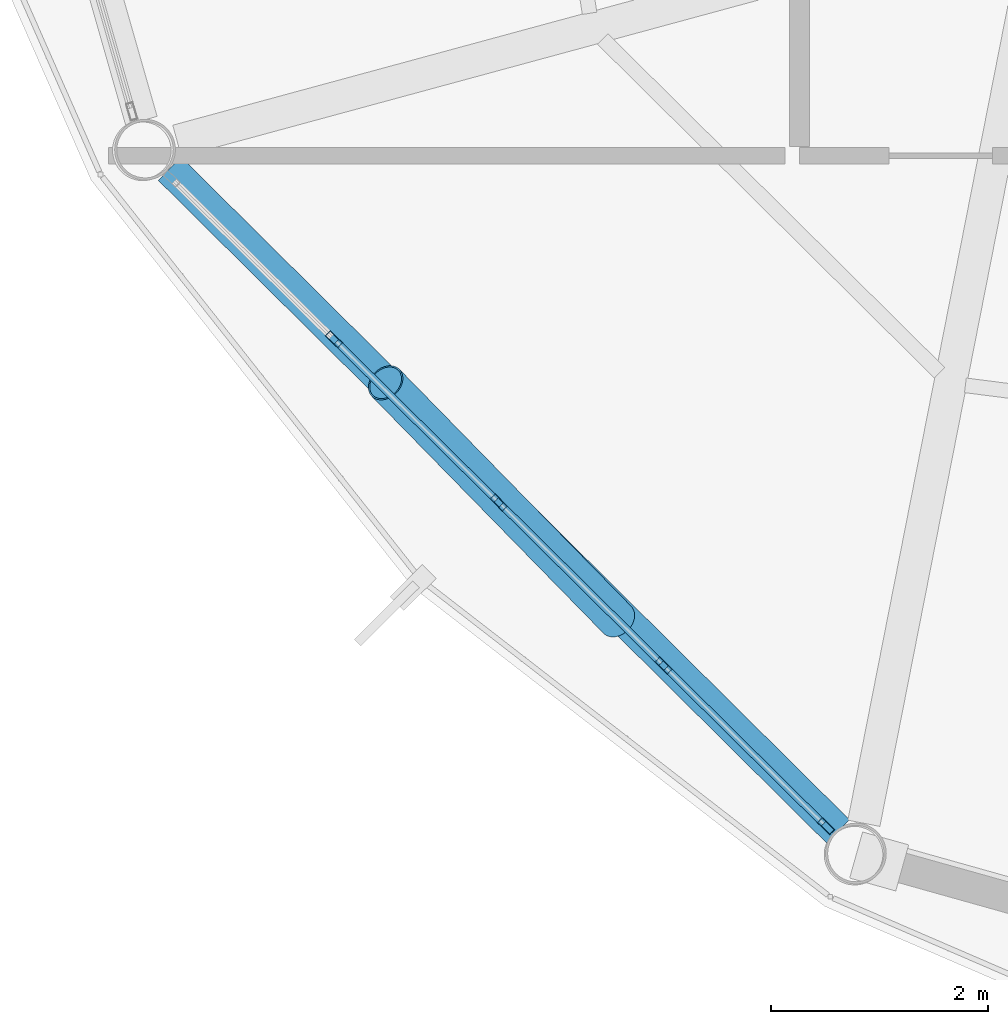
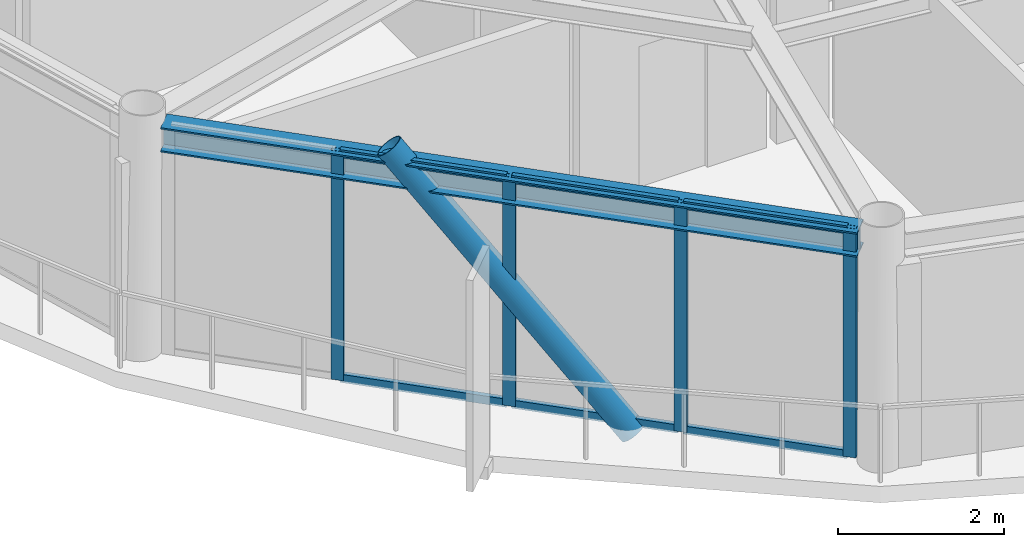
# One storey, part 2 of 24: 11 members, 1 beam, 1 element without a shape of its own.
"""IFC4 building model written with IfcOpenShell, lengths in metres."""

from ifc_helpers import new_model, si_unit, direction, frame, origin, origin_2d, place, context, subcontext, project, spatial, hollow_rectangle, hollow_circle, i_section, extrude, material, layer, layer_set, material_profile, profile_set, type_object, element, aggregate, save


model = new_model("IFC4")

# Units and contexts
model_context = context("Model", 3, precision=1e-05, world=origin(), true_north=direction((0.0, 1.0)))
body_context = subcontext(model_context, "Body", "Model", "MODEL_VIEW")
ifc_project = project(units=[si_unit("LENGTHUNIT", "METRE"), si_unit("AREAUNIT", "SQUARE_METRE"), si_unit("VOLUMEUNIT", "CUBIC_METRE"), si_unit("PLANEANGLEUNIT", "RADIAN"), si_unit("MASSUNIT", "GRAM", prefix="KILO")], contexts=[model_context])

# Site, building, storey
site_placement = place(None, origin())
site = spatial("IfcSite", under=ifc_project, at=site_placement, CompositionType="ELEMENT")
building_placement = place(site_placement, origin())
building = spatial("IfcBuilding", under=site, at=building_placement, Name="Varnakorn Sky Granary", CompositionType="ELEMENT")
storey_placement = place(building_placement, frame((0.0, 0.0, 274.199951171875)))
storey = spatial("IfcBuildingStorey", under=building, at=storey_placement, Name="L70", CompositionType="ELEMENT", Elevation=274.199951171875)

# Beam
ifc_material_1 = material(Name="Steel S355JR", Category="steel")
ifc_material_profile_1 = material_profile(ifc_material_1, i_section(OverallWidth=0.300048828125, OverallDepth=0.360107421875, WebThickness=0.012451171875, FlangeThickness=0.0224609375, at=origin_2d()), Name="HE 360 B")
ifc_profile_set_1 = profile_set([ifc_material_profile_1], Name="Steel S355JR")
beam_type = type_object("IfcBeamType", Name="BM-SPD-Z5", PredefinedType="SPANDREL", material=ifc_profile_set_1)
beam_placement = place(storey_placement, frame((-10.39306640625, -9.019775390625, 3.179931640625), z_axis=(0.710104416843, -0.704096383445, 0.0), x_axis=(0.704096383445, 0.710104416843, 0.0)))
element("IfcBeam", 1, at=beam_placement, inside=storey, type_object=beam_type, Name="Perimeter Spandrel Ring Beam RB08 L70", PredefinedType="SPANDREL", context=body_context, shape_type="SweptSolid", body=[
    extrude(i_section(OverallWidth=0.300048828125, OverallDepth=0.360107421875, WebThickness=0.012451171875, FlangeThickness=0.0224609375, at=origin_2d()), origin(), (0.0, 0.0, 1.0), 8.655517578125),
])

# Curtain wall, members
ifc_material_2 = material(Name="Anodised Bronze Aluminium Alloy 6063-T6", Category="aluminium")
ifc_layer = layer(ifc_material_2, 0.159912109375, Name="Anodised Bronze Aluminium Alloy 6063-T6")
ifc_layer_set = layer_set([ifc_layer], Name="Anodised Bronze Aluminium Alloy 6063-T6")
curtain_wall_type = type_object("IfcCurtainWallType", Name="CW-OFF-1", PredefinedType="USERDEFINED", material=ifc_layer_set)
curtain_wall_placement = place(storey_placement, origin())
curtain_wall = element("IfcCurtainWall", 2, at=curtain_wall_placement, inside=storey, type_object=curtain_wall_type, Name="Unitised Curtain Wall CW6 CW-L70-B08", ObjectType="CURTAIN WALL", PredefinedType="USERDEFINED")
ifc_material_profile_2 = material_profile(ifc_material_2, hollow_rectangle(XDim=0.06494140625, YDim=0.159912109375, WallThickness=0.00341796875, at=origin_2d()), Name="ALU MULL 65x160")
ifc_profile_set_2 = profile_set([ifc_material_profile_2], Name="Anodised Bronze Aluminium Alloy 6063-T6")
member_type_1 = type_object("IfcMemberType", Name="CW-OFF-1-MULL", PredefinedType="MULLION", material=ifc_profile_set_2)
member_1_placement = place(storey_placement, frame((-4.357421875, -15.06689453125, 0.0), z_axis=(0.0, 0.0, 1.0), x_axis=(-0.703399020646, -0.710795200993, 0.0)))
member_1 = element("IfcMember", 3, at=member_1_placement, type_object=member_type_1, Name="CW6 mullion 1", PredefinedType="MULLION", context=body_context, shape_type="SweptSolid", body=[
    extrude(hollow_rectangle(XDim=0.06494140625, YDim=0.159912109375, WallThickness=0.00341796875, at=origin_2d()), origin(), (0.0, 0.0, 1.0), 3.360107421875),
])
member_2_placement = place(storey_placement, frame((-5.850341796875, -13.589599609375, 0.0), z_axis=(0.0, 0.0, 1.0), x_axis=(-0.703399020646, -0.710795200993, 0.0)))
member_2 = element("IfcMember", 4, at=member_2_placement, type_object=member_type_1, Name="CW6 mullion 2", PredefinedType="MULLION", context=body_context, shape_type="SweptSolid", body=[
    extrude(hollow_rectangle(XDim=0.06494140625, YDim=0.159912109375, WallThickness=0.00341796875, at=origin_2d()), origin(), (0.0, 0.0, 1.0), 3.360107421875),
])
member_3_placement = place(storey_placement, frame((-7.366455078125, -12.08935546875, 0.0), z_axis=(0.0, 0.0, 1.0), x_axis=(-0.703399020646, -0.710795200993, 0.0)))
member_3 = element("IfcMember", 5, at=member_3_placement, type_object=member_type_1, Name="CW6 mullion 3", PredefinedType="MULLION", context=body_context, shape_type="SweptSolid", body=[
    extrude(hollow_rectangle(XDim=0.06494140625, YDim=0.159912109375, WallThickness=0.00341796875, at=origin_2d()), origin(), (0.0, 0.0, 1.0), 3.360107421875),
])
member_4_placement = place(storey_placement, frame((-8.88232421875, -10.589111328125, 0.0), z_axis=(0.0, 0.0, 1.0), x_axis=(-0.703399020646, -0.710795200993, 0.0)))
member_4 = element("IfcMember", 6, at=member_4_placement, type_object=member_type_1, Name="CW6 mullion 4", PredefinedType="MULLION", context=body_context, shape_type="SweptSolid", body=[
    extrude(hollow_rectangle(XDim=0.06494140625, YDim=0.159912109375, WallThickness=0.00341796875, at=origin_2d()), origin(), (0.0, 0.0, 1.0), 3.360107421875),
])
ifc_material_profile_3 = material_profile(ifc_material_2, hollow_rectangle(XDim=0.06494140625, YDim=0.1201171875, WallThickness=0.00341796875, at=origin_2d()), Name="ALU TRAN 65x120")
ifc_profile_set_3 = profile_set([ifc_material_profile_3], Name="Anodised Bronze Aluminium Alloy 6063-T6")
member_type_2 = type_object("IfcMemberType", Name="CW-OFF-1-TRAN", PredefinedType="USERDEFINED", material=ifc_profile_set_3)
member_5_placement = place(storey_placement, frame((-4.380615234375, -15.044189453125, 0.032470703125), z_axis=(-0.710696086051, 0.703499163661, 0.0), x_axis=(-0.703499163661, -0.710696086051, 0.0)))
member_5 = element("IfcMember", 7, at=member_5_placement, type_object=member_type_2, Name="CW6 transom 1.1", ObjectType="TRANSOM", PredefinedType="USERDEFINED", context=body_context, shape_type="SweptSolid", body=[
    extrude(hollow_rectangle(XDim=0.06494140625, YDim=0.1201171875, WallThickness=0.00341796875, at=origin_2d()), origin(), (0.0, 0.0, 1.0), 2.035400390625),
])
member_6_placement = place(storey_placement, frame((-4.380615234375, -15.044189453125, 3.32763671875), z_axis=(-0.710696086051, 0.703499163661, 0.0), x_axis=(-0.703499163661, -0.710696086051, 0.0)))
member_6 = element("IfcMember", 8, at=member_6_placement, type_object=member_type_2, Name="CW6 transom 1.2", ObjectType="TRANSOM", PredefinedType="USERDEFINED", context=body_context, shape_type="SweptSolid", body=[
    extrude(hollow_rectangle(XDim=0.06494140625, YDim=0.1201171875, WallThickness=0.00341796875, at=origin_2d()), origin(), (0.0, 0.0, 1.0), 2.035400390625),
])
member_7_placement = place(storey_placement, frame((-5.87353515625, -13.566650390625, 0.032470703125), z_axis=(-0.710757354944, 0.703437262585, 0.0), x_axis=(-0.703437262585, -0.710757354944, 0.0)))
member_7 = element("IfcMember", 9, at=member_7_placement, type_object=member_type_2, Name="CW6 transom 2.1", ObjectType="TRANSOM", PredefinedType="USERDEFINED", context=body_context, shape_type="SweptSolid", body=[
    extrude(hollow_rectangle(XDim=0.06494140625, YDim=0.1201171875, WallThickness=0.00341796875, at=origin_2d()), origin(), (0.0, 0.0, 1.0), 2.06787109375),
])
member_8_placement = place(storey_placement, frame((-5.87353515625, -13.566650390625, 3.32763671875), z_axis=(-0.710757354944, 0.703437262585, 0.0), x_axis=(-0.703437262585, -0.710757354944, 0.0)))
member_8 = element("IfcMember", 10, at=member_8_placement, type_object=member_type_2, Name="CW6 transom 2.2", ObjectType="TRANSOM", PredefinedType="USERDEFINED", context=body_context, shape_type="SweptSolid", body=[
    extrude(hollow_rectangle(XDim=0.06494140625, YDim=0.1201171875, WallThickness=0.00341796875, at=origin_2d()), origin(), (0.0, 0.0, 1.0), 2.06787109375),
])
member_9_placement = place(storey_placement, frame((-7.389404296875, -12.06640625, 0.032470703125), z_axis=(-0.710815769482, 0.703378235273, 0.0), x_axis=(-0.703378235273, -0.710815769482, 0.0)))
member_9 = element("IfcMember", 11, at=member_9_placement, type_object=member_type_2, Name="CW6 transom 3.1", ObjectType="TRANSOM", PredefinedType="USERDEFINED", context=body_context, shape_type="SweptSolid", body=[
    extrude(hollow_rectangle(XDim=0.06494140625, YDim=0.1201171875, WallThickness=0.00341796875, at=origin_2d()), origin(), (0.0, 0.0, 1.0), 2.068115234375),
])
member_10_placement = place(storey_placement, frame((-7.389404296875, -12.06640625, 3.32763671875), z_axis=(-0.710815769482, 0.703378235273, 0.0), x_axis=(-0.703378235273, -0.710815769482, 0.0)))
member_10 = element("IfcMember", 12, at=member_10_placement, type_object=member_type_2, Name="CW6 transom 3.2", ObjectType="TRANSOM", PredefinedType="USERDEFINED", context=body_context, shape_type="SweptSolid", body=[
    extrude(hollow_rectangle(XDim=0.06494140625, YDim=0.1201171875, WallThickness=0.00341796875, at=origin_2d()), origin(), (0.0, 0.0, 1.0), 2.068115234375),
])
aggregate(curtain_wall, [member_1, member_2, member_3, member_4, member_5, member_6, member_7, member_8, member_9, member_10])

# Member
ifc_material_3 = material(Name="Steel S460M", Category="steel")
ifc_material_profile_4 = material_profile(ifc_material_3, hollow_circle(Radius=0.177734375, WallThickness=0.01416015625, at=origin_2d()), Name="CHS 355.6x14")
ifc_profile_set_4 = profile_set([ifc_material_profile_4], Name="Steel S460M")
member_type_3 = type_object("IfcMemberType", Name="MB-DIAG-T5", PredefinedType="BRACE", material=ifc_profile_set_4)
member_11_placement = place(storey_placement, frame((-6.275146484375, -13.169189453125, -0.1298828125), z_axis=(-0.450418761618, 0.460632105045, 0.764814358511), x_axis=(-0.714988880842, -0.699135823909, 0.0)))
element("IfcMember", 13, at=member_11_placement, inside=storey, type_object=member_type_3, Name="Perimeter CHS Diagrid Brace DG08 L70", PredefinedType="BRACE", context=body_context, shape_type="SweptSolid", body=[
    extrude(hollow_circle(Radius=0.177734375, WallThickness=0.01416015625, at=origin_2d()), origin(), (0.0, 0.0, 1.0), 4.73291015625),
])

save(model, "model.ifc")
